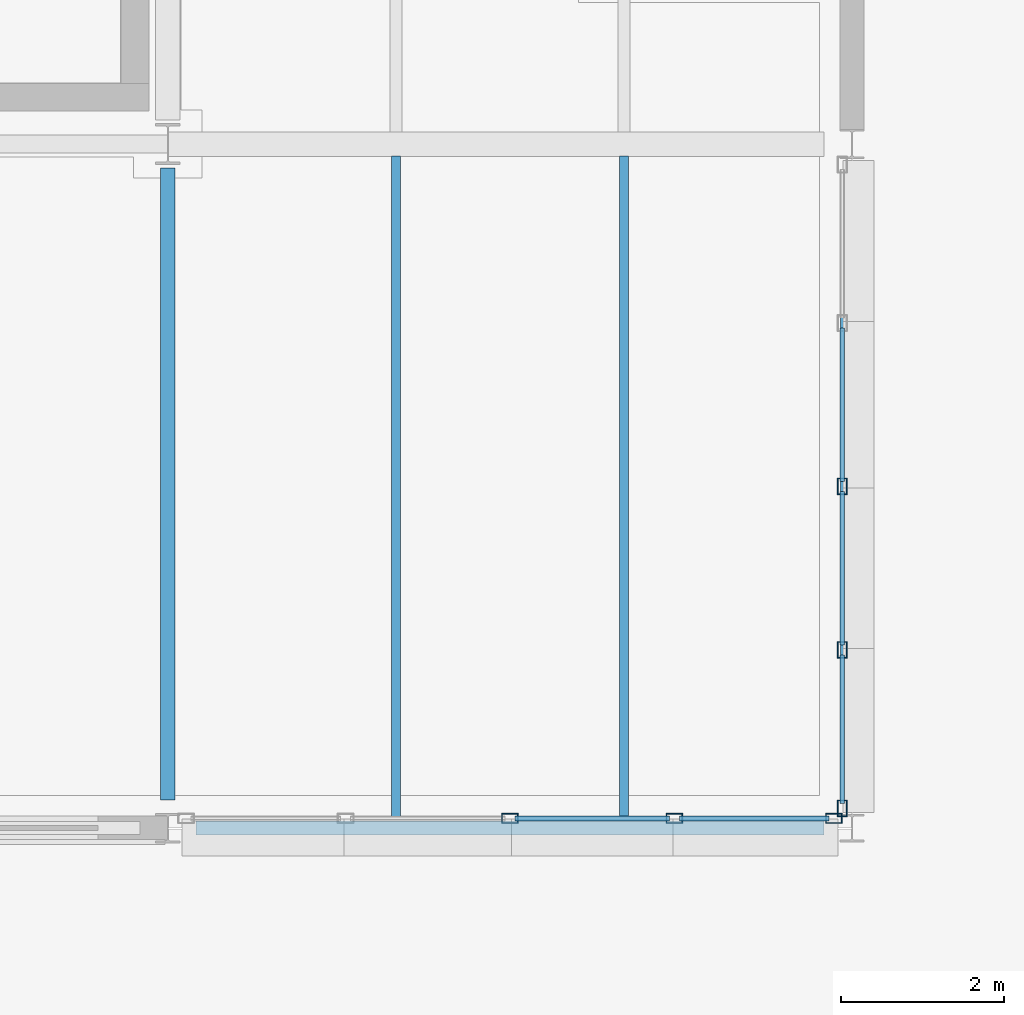
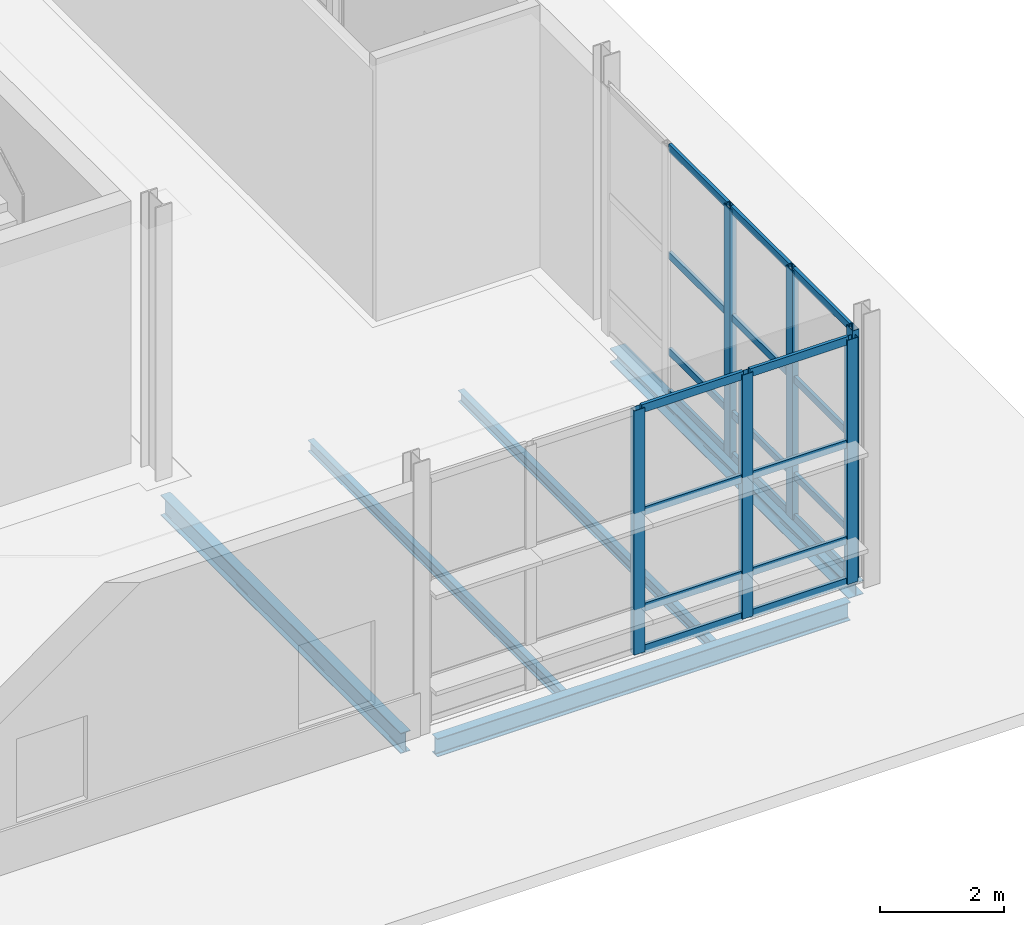
# One storey, part 54 of 124: 26 members, 5 beams, 2 elements without a shape of their own.
"""IFC4 building model written with IfcOpenShell, lengths in metres."""

from ifc_helpers import new_model, si_unit, direction, frame, origin, origin_2d, place, context, subcontext, project, spatial, hollow_rectangle, i_section, extrude, material, material_profile, profile_set, type_object, element, aggregate, save


model = new_model("IFC4")

# Units and contexts
model_context = context("Model", 3, precision=1e-05, world=origin(), true_north=direction((0.0, 1.0)))
body_context = subcontext(model_context, "Body", "Model", "MODEL_VIEW")
ifc_project = project(units=[si_unit("LENGTHUNIT", "METRE"), si_unit("AREAUNIT", "SQUARE_METRE"), si_unit("VOLUMEUNIT", "CUBIC_METRE"), si_unit("PLANEANGLEUNIT", "RADIAN"), si_unit("MASSUNIT", "GRAM", prefix="KILO")], contexts=[model_context])

# Site, building, storey
site_placement = place(None, origin())
site = spatial("IfcSite", under=ifc_project, at=site_placement, CompositionType="ELEMENT")
building_placement = place(site_placement, origin())
building = spatial("IfcBuilding", under=site, at=building_placement, Name="Mersafa Astral City Hall", CompositionType="ELEMENT")
storey_placement = place(building_placement, origin())
storey = spatial("IfcBuildingStorey", under=building, at=storey_placement, Name="L00", CompositionType="ELEMENT", Elevation=0.0)

# Curtain wall, members
ifc_material_1 = material(Name="Anodised bronze aluminium framing", Category="aluminium")
curtain_wall_type_1 = type_object("IfcCurtainWallType", Name="ENV-CW-1", PredefinedType="USERDEFINED", material=ifc_material_1)
curtain_wall_1_placement = place(storey_placement, origin())
curtain_wall_1 = element("IfcCurtainWall", 1, at=curtain_wall_1_placement, inside=storey, type_object=curtain_wall_type_1, Name="L00 Unitised solar curtain wall 24", ObjectType="UNITISED CURTAIN WALL", PredefinedType="USERDEFINED")
ifc_material_profile_1 = material_profile(ifc_material_1, hollow_rectangle(XDim=0.1201171875, YDim=0.199951171875, WallThickness=0.008056640625, at=origin_2d()), Name="RHS 120x200x8")
ifc_profile_set_1 = profile_set([ifc_material_profile_1], Name="Anodised bronze aluminium framing")
member_type_1 = type_object("IfcMemberType", Name="ENV-CW-MUL-2", PredefinedType="MULLION", material=ifc_profile_set_1)
member_1_placement = place(storey_placement, frame((180.60009765625, 42.1201171875, -0.001953125), z_axis=(0.0, 0.0, 1.0), x_axis=(0.0, 1.0, 0.0)))
member_1 = element("IfcMember", 2, at=member_1_placement, type_object=member_type_1, Name="CW-1 mullion 3", PredefinedType="MULLION", context=body_context, shape_type="SweptSolid", body=[
    extrude(hollow_rectangle(XDim=0.1201171875, YDim=0.199951171875, WallThickness=0.008056640625, at=origin_2d()), origin(), (0.0, 0.0, 1.0), 4.81396484375),
])
member_2_placement = place(storey_placement, frame((182.618896484375, 42.1201171875, -0.001953125), z_axis=(0.0, 0.0, 1.0), x_axis=(0.0, 1.0, 0.0)))
member_2 = element("IfcMember", 3, at=member_2_placement, type_object=member_type_1, Name="CW-1 mullion 4", PredefinedType="MULLION", context=body_context, shape_type="SweptSolid", body=[
    extrude(hollow_rectangle(XDim=0.1201171875, YDim=0.199951171875, WallThickness=0.008056640625, at=origin_2d()), origin(), (0.0, 0.0, 1.0), 4.81396484375),
])
member_3_placement = place(storey_placement, frame((184.577880859375, 42.1201171875, -0.001953125), z_axis=(0.0, 0.0, 1.0), x_axis=(0.0, 1.0, 0.0)))
member_3 = element("IfcMember", 4, at=member_3_placement, type_object=member_type_1, Name="CW-1 mullion 5", PredefinedType="MULLION", context=body_context, shape_type="SweptSolid", body=[
    extrude(hollow_rectangle(XDim=0.1201171875, YDim=0.199951171875, WallThickness=0.008056640625, at=origin_2d()), origin(), (0.0, 0.0, 1.0), 4.81396484375),
])

curtain_wall_type_2 = type_object("IfcCurtainWallType", Name="ENV-CW-2", PredefinedType="USERDEFINED", material=ifc_material_1)
curtain_wall_2_placement = place(storey_placement, origin())
curtain_wall_2 = element("IfcCurtainWall", 5, at=curtain_wall_2_placement, inside=storey, type_object=curtain_wall_type_2, Name="L00 Unitised solar curtain wall 25", ObjectType="UNITISED CURTAIN WALL", PredefinedType="USERDEFINED")
member_4_placement = place(storey_placement, frame((184.679931640625, 42.241943359375, -0.001953125), z_axis=(0.0, 0.0, 1.0), x_axis=(-1.0, 0.0, 0.0)))
member_4 = element("IfcMember", 6, at=member_4_placement, type_object=member_type_1, Name="CW-2 mullion 1", PredefinedType="MULLION", context=body_context, shape_type="SweptSolid", body=[
    extrude(hollow_rectangle(XDim=0.1201171875, YDim=0.199951171875, WallThickness=0.008056640625, at=origin_2d()), origin(), (0.0, 0.0, 1.0), 4.904052734375),
])
member_5_placement = place(storey_placement, frame((184.679931640625, 44.1884765625, -0.001953125), z_axis=(0.0, 0.0, 1.0), x_axis=(-1.0, 0.0, 0.0)))
member_5 = element("IfcMember", 7, at=member_5_placement, type_object=member_type_1, Name="CW-2 mullion 2", PredefinedType="MULLION", context=body_context, shape_type="SweptSolid", body=[
    extrude(hollow_rectangle(XDim=0.1201171875, YDim=0.199951171875, WallThickness=0.008056640625, at=origin_2d()), origin(), (0.0, 0.0, 1.0), 4.904052734375),
])
member_6_placement = place(storey_placement, frame((184.679931640625, 46.195068359375, -0.001953125), z_axis=(0.0, 0.0, 1.0), x_axis=(-1.0, 0.0, 0.0)))
member_6 = element("IfcMember", 8, at=member_6_placement, type_object=member_type_1, Name="CW-2 mullion 3", PredefinedType="MULLION", context=body_context, shape_type="SweptSolid", body=[
    extrude(hollow_rectangle(XDim=0.1201171875, YDim=0.199951171875, WallThickness=0.008056640625, at=origin_2d()), origin(), (0.0, 0.0, 1.0), 4.904052734375),
])
ifc_material_profile_2 = material_profile(ifc_material_1, hollow_rectangle(XDim=0.06005859375, YDim=0.139892578125, WallThickness=0.00390625, at=origin_2d()), Name="RHS 60x140x4")
ifc_profile_set_2 = profile_set([ifc_material_profile_2], Name="Anodised bronze aluminium framing")
member_type_2 = type_object("IfcMemberType", Name="ENV-CW-TRN-1", PredefinedType="USERDEFINED", material=ifc_profile_set_2)
member_7_placement = place(storey_placement, frame((184.679931640625, 42.302001953125, 0.028076171875), z_axis=(0.0, 1.0, 0.0), x_axis=(-1.0, 0.0, 0.0)))
member_7 = element("IfcMember", 9, at=member_7_placement, type_object=member_type_2, Name="CW-2 transom 1.1", ObjectType="TRANSOM", PredefinedType="USERDEFINED", context=body_context, shape_type="SweptSolid", body=[
    extrude(hollow_rectangle(XDim=0.06005859375, YDim=0.139892578125, WallThickness=0.00390625, at=origin_2d()), origin(), (0.0, 0.0, 1.0), 1.826416015625),
])
member_8_placement = place(storey_placement, frame((184.679931640625, 42.302001953125, 0.85009765625), z_axis=(0.0, 1.0, 0.0), x_axis=(-1.0, 0.0, 0.0)))
member_8 = element("IfcMember", 10, at=member_8_placement, type_object=member_type_2, Name="CW-2 transom 1.2", ObjectType="TRANSOM", PredefinedType="USERDEFINED", context=body_context, shape_type="SweptSolid", body=[
    extrude(hollow_rectangle(XDim=0.06005859375, YDim=0.139892578125, WallThickness=0.00390625, at=origin_2d()), origin(), (0.0, 0.0, 1.0), 1.826416015625),
])
member_9_placement = place(storey_placement, frame((184.679931640625, 42.302001953125, 2.75), z_axis=(0.0, 1.0, 0.0), x_axis=(-1.0, 0.0, 0.0)))
member_9 = element("IfcMember", 11, at=member_9_placement, type_object=member_type_2, Name="CW-2 transom 1.3", ObjectType="TRANSOM", PredefinedType="USERDEFINED", context=body_context, shape_type="SweptSolid", body=[
    extrude(hollow_rectangle(XDim=0.06005859375, YDim=0.139892578125, WallThickness=0.00390625, at=origin_2d()), origin(), (0.0, 0.0, 1.0), 1.826416015625),
])
member_10_placement = place(storey_placement, frame((184.679931640625, 42.302001953125, 4.8720703125), z_axis=(0.0, 1.0, 0.0), x_axis=(-1.0, 0.0, 0.0)))
member_10 = element("IfcMember", 12, at=member_10_placement, type_object=member_type_2, Name="CW-2 transom 1.4", ObjectType="TRANSOM", PredefinedType="USERDEFINED", context=body_context, shape_type="SweptSolid", body=[
    extrude(hollow_rectangle(XDim=0.06005859375, YDim=0.139892578125, WallThickness=0.00390625, at=origin_2d()), origin(), (0.0, 0.0, 1.0), 1.826416015625),
])
member_11_placement = place(storey_placement, frame((184.679931640625, 44.24853515625, 0.028076171875), z_axis=(0.0, 1.0, 0.0), x_axis=(-1.0, 0.0, 0.0)))
member_11 = element("IfcMember", 13, at=member_11_placement, type_object=member_type_2, Name="CW-2 transom 2.1", ObjectType="TRANSOM", PredefinedType="USERDEFINED", context=body_context, shape_type="SweptSolid", body=[
    extrude(hollow_rectangle(XDim=0.06005859375, YDim=0.139892578125, WallThickness=0.00390625, at=origin_2d()), origin(), (0.0, 0.0, 1.0), 1.886474609375),
])
member_12_placement = place(storey_placement, frame((184.679931640625, 44.24853515625, 0.85009765625), z_axis=(0.0, 1.0, 0.0), x_axis=(-1.0, 0.0, 0.0)))
member_12 = element("IfcMember", 14, at=member_12_placement, type_object=member_type_2, Name="CW-2 transom 2.2", ObjectType="TRANSOM", PredefinedType="USERDEFINED", context=body_context, shape_type="SweptSolid", body=[
    extrude(hollow_rectangle(XDim=0.06005859375, YDim=0.139892578125, WallThickness=0.00390625, at=origin_2d()), origin(), (0.0, 0.0, 1.0), 1.886474609375),
])
member_13_placement = place(storey_placement, frame((184.679931640625, 44.24853515625, 2.75), z_axis=(0.0, 1.0, 0.0), x_axis=(-1.0, 0.0, 0.0)))
member_13 = element("IfcMember", 15, at=member_13_placement, type_object=member_type_2, Name="CW-2 transom 2.3", ObjectType="TRANSOM", PredefinedType="USERDEFINED", context=body_context, shape_type="SweptSolid", body=[
    extrude(hollow_rectangle(XDim=0.06005859375, YDim=0.139892578125, WallThickness=0.00390625, at=origin_2d()), origin(), (0.0, 0.0, 1.0), 1.886474609375),
])
member_14_placement = place(storey_placement, frame((184.679931640625, 44.24853515625, 4.8720703125), z_axis=(0.0, 1.0, 0.0), x_axis=(-1.0, 0.0, 0.0)))
member_14 = element("IfcMember", 16, at=member_14_placement, type_object=member_type_2, Name="CW-2 transom 2.4", ObjectType="TRANSOM", PredefinedType="USERDEFINED", context=body_context, shape_type="SweptSolid", body=[
    extrude(hollow_rectangle(XDim=0.06005859375, YDim=0.139892578125, WallThickness=0.00390625, at=origin_2d()), origin(), (0.0, 0.0, 1.0), 1.886474609375),
])
member_15_placement = place(storey_placement, frame((184.679931640625, 46.2548828125, 0.028076171875), z_axis=(0.0, 1.0, 0.0), x_axis=(-1.0, 0.0, 0.0)))
member_15 = element("IfcMember", 17, at=member_15_placement, type_object=member_type_2, Name="CW-2 transom 3.1", ObjectType="TRANSOM", PredefinedType="USERDEFINED", context=body_context, shape_type="SweptSolid", body=[
    extrude(hollow_rectangle(XDim=0.06005859375, YDim=0.139892578125, WallThickness=0.00390625, at=origin_2d()), origin(), (0.0, 0.0, 1.0), 1.88671875),
])
member_16_placement = place(storey_placement, frame((184.679931640625, 46.2548828125, 0.85009765625), z_axis=(0.0, 1.0, 0.0), x_axis=(-1.0, 0.0, 0.0)))
member_16 = element("IfcMember", 18, at=member_16_placement, type_object=member_type_2, Name="CW-2 transom 3.2", ObjectType="TRANSOM", PredefinedType="USERDEFINED", context=body_context, shape_type="SweptSolid", body=[
    extrude(hollow_rectangle(XDim=0.06005859375, YDim=0.139892578125, WallThickness=0.00390625, at=origin_2d()), origin(), (0.0, 0.0, 1.0), 1.88671875),
])
member_17_placement = place(storey_placement, frame((184.679931640625, 46.2548828125, 2.75), z_axis=(0.0, 1.0, 0.0), x_axis=(-1.0, 0.0, 0.0)))
member_17 = element("IfcMember", 19, at=member_17_placement, type_object=member_type_2, Name="CW-2 transom 3.3", ObjectType="TRANSOM", PredefinedType="USERDEFINED", context=body_context, shape_type="SweptSolid", body=[
    extrude(hollow_rectangle(XDim=0.06005859375, YDim=0.139892578125, WallThickness=0.00390625, at=origin_2d()), origin(), (0.0, 0.0, 1.0), 1.88671875),
])
member_18_placement = place(storey_placement, frame((184.679931640625, 46.2548828125, 4.8720703125), z_axis=(0.0, 1.0, 0.0), x_axis=(-1.0, 0.0, 0.0)))
member_18 = element("IfcMember", 20, at=member_18_placement, type_object=member_type_2, Name="CW-2 transom 3.4", ObjectType="TRANSOM", PredefinedType="USERDEFINED", context=body_context, shape_type="SweptSolid", body=[
    extrude(hollow_rectangle(XDim=0.06005859375, YDim=0.139892578125, WallThickness=0.00390625, at=origin_2d()), origin(), (0.0, 0.0, 1.0), 1.88671875),
])
aggregate(curtain_wall_2, [member_4, member_5, member_6, member_7, member_8, member_9, member_10, member_11, member_12, member_13, member_14, member_15, member_16, member_17, member_18])

# Member
ifc_material_profile_3 = material_profile(ifc_material_1, hollow_rectangle(XDim=0.06005859375, YDim=0.159912109375, WallThickness=0.00390625, at=origin_2d()), Name="RHS 60x160x4")
ifc_profile_set_3 = profile_set([ifc_material_profile_3], Name="Anodised bronze aluminium framing")
member_type_3 = type_object("IfcMemberType", Name="ENV-CW-TRN-2", PredefinedType="USERDEFINED", material=ifc_profile_set_3)
member_19_placement = place(storey_placement, frame((180.659912109375, 42.1201171875, 0.028076171875), z_axis=(1.0, 0.0, 0.0), x_axis=(0.0, 1.0, 0.0)))
member_19 = element("IfcMember", 21, at=member_19_placement, type_object=member_type_3, Name="CW-1 transom 3.1", ObjectType="TRANSOM", PredefinedType="USERDEFINED", context=body_context, shape_type="SweptSolid", body=[
    extrude(hollow_rectangle(XDim=0.06005859375, YDim=0.159912109375, WallThickness=0.00390625, at=origin_2d()), origin(), (0.0, 0.0, 1.0), 1.899169921875),
])

member_20_placement = place(storey_placement, frame((180.659912109375, 42.1201171875, 0.85009765625), z_axis=(1.0, 0.0, 0.0), x_axis=(0.0, 1.0, 0.0)))
member_20 = element("IfcMember", 22, at=member_20_placement, type_object=member_type_3, Name="CW-1 transom 3.2", ObjectType="TRANSOM", PredefinedType="USERDEFINED", context=body_context, shape_type="SweptSolid", body=[
    extrude(hollow_rectangle(XDim=0.06005859375, YDim=0.159912109375, WallThickness=0.00390625, at=origin_2d()), origin(), (0.0, 0.0, 1.0), 1.899169921875),
])

member_21_placement = place(storey_placement, frame((180.659912109375, 42.1201171875, 2.75), z_axis=(1.0, 0.0, 0.0), x_axis=(0.0, 1.0, 0.0)))
member_21 = element("IfcMember", 23, at=member_21_placement, type_object=member_type_3, Name="CW-1 transom 3.3", ObjectType="TRANSOM", PredefinedType="USERDEFINED", context=body_context, shape_type="SweptSolid", body=[
    extrude(hollow_rectangle(XDim=0.06005859375, YDim=0.159912109375, WallThickness=0.00390625, at=origin_2d()), origin(), (0.0, 0.0, 1.0), 1.899169921875),
])

member_22_placement = place(storey_placement, frame((180.659912109375, 42.1201171875, 4.781982421875), z_axis=(1.0, 0.0, 0.0), x_axis=(0.0, 1.0, 0.0)))
member_22 = element("IfcMember", 24, at=member_22_placement, type_object=member_type_3, Name="CW-1 transom 3.4", ObjectType="TRANSOM", PredefinedType="USERDEFINED", context=body_context, shape_type="SweptSolid", body=[
    extrude(hollow_rectangle(XDim=0.06005859375, YDim=0.159912109375, WallThickness=0.00390625, at=origin_2d()), origin(), (0.0, 0.0, 1.0), 1.899169921875),
])

member_23_placement = place(storey_placement, frame((182.678955078125, 42.1201171875, 0.028076171875), z_axis=(1.0, 0.0, 0.0), x_axis=(0.0, 1.0, 0.0)))
member_23 = element("IfcMember", 25, at=member_23_placement, type_object=member_type_3, Name="CW-1 transom 4.1", ObjectType="TRANSOM", PredefinedType="USERDEFINED", context=body_context, shape_type="SweptSolid", body=[
    extrude(hollow_rectangle(XDim=0.06005859375, YDim=0.159912109375, WallThickness=0.00390625, at=origin_2d()), origin(), (0.0, 0.0, 1.0), 1.839111328125),
])

member_24_placement = place(storey_placement, frame((182.678955078125, 42.1201171875, 0.85009765625), z_axis=(1.0, 0.0, 0.0), x_axis=(0.0, 1.0, 0.0)))
member_24 = element("IfcMember", 26, at=member_24_placement, type_object=member_type_3, Name="CW-1 transom 4.2", ObjectType="TRANSOM", PredefinedType="USERDEFINED", context=body_context, shape_type="SweptSolid", body=[
    extrude(hollow_rectangle(XDim=0.06005859375, YDim=0.159912109375, WallThickness=0.00390625, at=origin_2d()), origin(), (0.0, 0.0, 1.0), 1.839111328125),
])

member_25_placement = place(storey_placement, frame((182.678955078125, 42.1201171875, 2.75), z_axis=(1.0, 0.0, 0.0), x_axis=(0.0, 1.0, 0.0)))
member_25 = element("IfcMember", 27, at=member_25_placement, type_object=member_type_3, Name="CW-1 transom 4.3", ObjectType="TRANSOM", PredefinedType="USERDEFINED", context=body_context, shape_type="SweptSolid", body=[
    extrude(hollow_rectangle(XDim=0.06005859375, YDim=0.159912109375, WallThickness=0.00390625, at=origin_2d()), origin(), (0.0, 0.0, 1.0), 1.839111328125),
])

member_26_placement = place(storey_placement, frame((182.678955078125, 42.1201171875, 4.781982421875), z_axis=(1.0, 0.0, 0.0), x_axis=(0.0, 1.0, 0.0)))
member_26 = element("IfcMember", 28, at=member_26_placement, type_object=member_type_3, Name="CW-1 transom 4.4", ObjectType="TRANSOM", PredefinedType="USERDEFINED", context=body_context, shape_type="SweptSolid", body=[
    extrude(hollow_rectangle(XDim=0.06005859375, YDim=0.159912109375, WallThickness=0.00390625, at=origin_2d()), origin(), (0.0, 0.0, 1.0), 1.839111328125),
])

aggregate(curtain_wall_1, [member_1, member_2, member_3, member_19, member_20, member_21, member_22, member_23, member_24, member_25, member_26])

# Beams
ifc_material_2 = material(Name="Steel S355", Category="steel")
ifc_material_profile_4 = material_profile(ifc_material_2, i_section(OverallWidth=0.179931640625, OverallDepth=0.39990234375, WebThickness=0.008544921875, FlangeThickness=0.013427734375, FilletRadius=0.02099609375, at=origin_2d()), Name="IPE 400")
ifc_profile_set_4 = profile_set([ifc_material_profile_4], Name="Steel S355")
beam_type_1 = type_object("IfcBeamType", Name="STR-BM-IPE400", PredefinedType="BEAM", material=ifc_profile_set_4)
beam_1_placement = place(storey_placement, frame((176.39990234375, 42.344970703125, -0.449951171875), z_axis=(0.0, 1.0, 0.0), x_axis=(-1.0, 0.0, 0.0)))
element("IfcBeam", 29, at=beam_1_placement, inside=storey, type_object=beam_type_1, Name="L00 Primary girder Y 21-5", PredefinedType="BEAM", context=body_context, shape_type="SweptSolid", body=[
    extrude(i_section(OverallWidth=0.179931640625, OverallDepth=0.39990234375, WebThickness=0.008544921875, FlangeThickness=0.013427734375, FilletRadius=0.02099609375, at=origin_2d()), origin(), (0.0, 0.0, 1.0), 7.760009765625),
])
ifc_material_profile_5 = material_profile(ifc_material_2, i_section(OverallWidth=0.110107421875, OverallDepth=0.219970703125, WebThickness=0.005859375, FlangeThickness=0.00927734375, FilletRadius=0.011962890625, at=origin_2d()), Name="IPE 220")
ifc_profile_set_5 = profile_set([ifc_material_profile_5], Name="Steel S355")
beam_type_2 = type_object("IfcBeamType", Name="STR-BM-JOIST-IPE220", PredefinedType="JOIST", material=ifc_profile_set_5)
for number, where, z_axis, x_axis, name in (
    (30, (179.199951171875, 42.080078125, -0.360107421875), (0.0, 1.0, 0.0), (-1.0, 0.0, 0.0), "L00 Composite secondary floor joist 211"),
    (31, (182.0, 42.080078125, -0.360107421875), (0.0, 1.0, 0.0), (-1.0, 0.0, 0.0), "L00 Composite secondary floor joist 212"),
):
    element("IfcBeam", number, at=place(storey_placement, frame(where, z_axis=z_axis, x_axis=x_axis)), inside=storey, type_object=beam_type_2, Name=name, PredefinedType="JOIST", context=body_context, shape_type="SweptSolid", body=[
        extrude(i_section(OverallWidth=0.110107421875, OverallDepth=0.219970703125, WebThickness=0.005859375, FlangeThickness=0.00927734375, FilletRadius=0.011962890625, at=origin_2d()), origin(), (0.0, 0.0, 1.0), 8.1748046875),
    ])
ifc_material_profile_6 = material_profile(ifc_material_2, i_section(OverallWidth=0.280029296875, OverallDepth=0.27001953125, WebThickness=0.008056640625, FlangeThickness=0.012939453125, FilletRadius=0.02392578125, at=origin_2d()), Name="HEA 280")
ifc_profile_set_6 = profile_set([ifc_material_profile_6], Name="Steel S355")
beam_type_3 = type_object("IfcBeamType", Name="STR-BM-SPANDREL-HEA280", PredefinedType="SPANDREL", material=ifc_profile_set_6)
beam_2_placement = place(storey_placement, frame((184.800048828125, 42.344970703125, -0.385009765625), z_axis=(0.0, 1.0, 0.0), x_axis=(-1.0, 0.0, 0.0)))
element("IfcBeam", 32, at=beam_2_placement, inside=storey, type_object=beam_type_3, Name="L00 Primary girder Y 22-5", PredefinedType="SPANDREL", context=body_context, shape_type="SweptSolid", body=[
    extrude(i_section(OverallWidth=0.280029296875, OverallDepth=0.27001953125, WebThickness=0.008056640625, FlangeThickness=0.012939453125, FilletRadius=0.02392578125, at=origin_2d()), origin(), (0.0, 0.0, 1.0), 7.7099609375),
])
ifc_material_profile_7 = material_profile(ifc_material_2, i_section(OverallWidth=0.169921875, OverallDepth=0.360107421875, WebThickness=0.008056640625, FlangeThickness=0.0126953125, FilletRadius=0.01806640625, at=origin_2d()), Name="IPE 360")
ifc_profile_set_7 = profile_set([ifc_material_profile_7], Name="Steel S355")
beam_type_4 = type_object("IfcBeamType", Name="STR-BM-SPANDREL-IPE360", PredefinedType="SPANDREL", material=ifc_profile_set_7)
beam_3_placement = place(storey_placement, frame((176.7451171875, 42.0, -0.429931640625), z_axis=(1.0, 0.0, 0.0), x_axis=(0.0, 1.0, 0.0)))
element("IfcBeam", 33, at=beam_3_placement, inside=storey, type_object=beam_type_4, Name="L00 Primary girder X 21-5", PredefinedType="SPANDREL", context=body_context, shape_type="SweptSolid", body=[
    extrude(i_section(OverallWidth=0.169921875, OverallDepth=0.360107421875, WebThickness=0.008056640625, FlangeThickness=0.0126953125, FilletRadius=0.01806640625, at=origin_2d()), origin(), (0.0, 0.0, 1.0), 7.7099609375),
])

save(model, "model.ifc")
